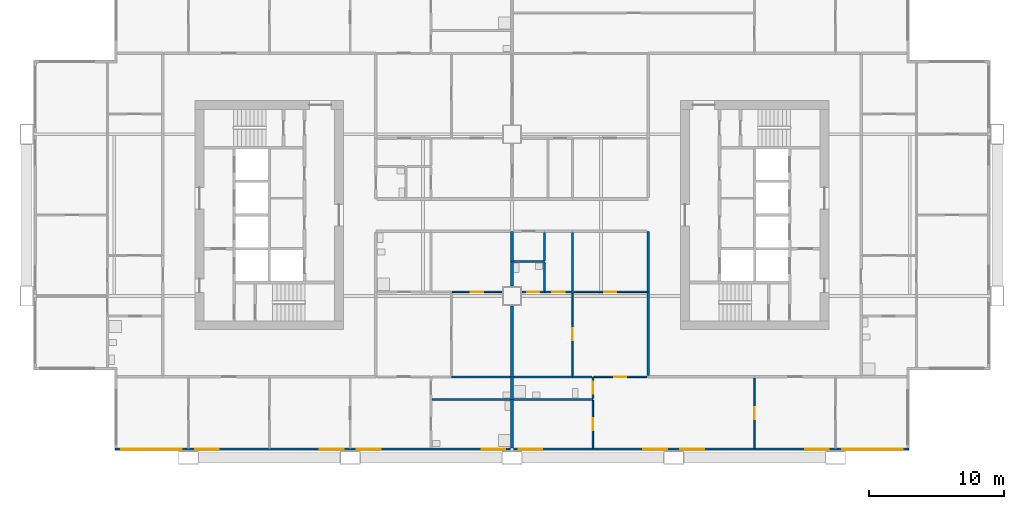
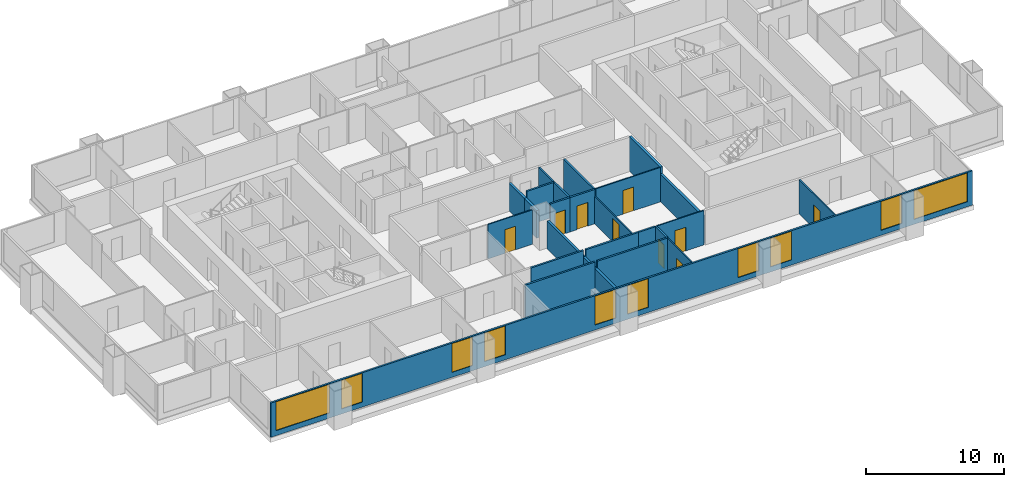
# One storey, part 5 of 11: 26 walls, 10 windows, 9 doors, 19 openings.
"""IFC4 building model written with IfcOpenShell, lengths in metres."""

from ifc_helpers import new_model, si_unit, direction, frame, frame_2d, origin, place, context, subcontext, project, spatial, rectangle, extrude, material, layer, layer_set, type_object, element, fill, save


model = new_model("IFC4")

# Units and contexts
model_context = context("Model", 3, precision=1e-05, world=origin(), true_north=direction((0.0, 1.0)))
body_context = subcontext(model_context, "Body", "Model", "MODEL_VIEW")
ifc_project = project(units=[si_unit("LENGTHUNIT", "METRE"), si_unit("AREAUNIT", "SQUARE_METRE"), si_unit("VOLUMEUNIT", "CUBIC_METRE"), si_unit("PLANEANGLEUNIT", "RADIAN"), si_unit("MASSUNIT", "GRAM", prefix="KILO")], contexts=[model_context])

# Site, building, storey
site_placement = place(None, origin())
site = spatial("IfcSite", under=ifc_project, at=site_placement, CompositionType="ELEMENT")
building_placement = place(site_placement, origin())
building = spatial("IfcBuilding", under=site, at=building_placement, Name="Kitamizu Gate Tower and Museum", CompositionType="ELEMENT")
storey_placement = place(building_placement, frame((0.0, 0.0, 100.050048828125)))
storey = spatial("IfcBuildingStorey", under=building, at=storey_placement, Name="L25", CompositionType="ELEMENT", Elevation=100.050048828125)

# Wall, opening, door
ifc_material_1 = material(Name="Gypsum board on galvanised stud")
ifc_layer_1 = layer(ifc_material_1, 0.10009765625)
ifc_layer_set_1 = layer_set([ifc_layer_1], Name="Gypsum board on galvanised stud")
wall_type_1 = type_object("IfcWallType", Name="Partition 100 NOT RATED", PredefinedType="PARTITIONING", material=ifc_layer_set_1)
wall_1_placement = place(storey_placement, frame((35.25, 24.300048828125, 0.0), z_axis=(0.0, 0.0, 1.0), x_axis=(-1.0, 0.0, 0.0)))
wall_1 = element("IfcWall", 1, at=wall_1_placement, inside=storey, type_object=wall_type_1, Name="Partition L25-022", PredefinedType="PARTITIONING", context=body_context, shape_type="SweptSolid", body=[
    extrude(rectangle(XDim=3.699951171875, YDim=0.10009765625, at=frame_2d((1.85009765625, 0.0))), origin(), (0.0, 0.0, 1.0), 3.050048828125),
])
opening_1_placement = place(wall_1_placement, frame((1.39990234375, 0.0, 0.0)))
opening_1 = element("IfcOpeningElement", 2, at=opening_1_placement, cuts=wall_1, Name="Opening L25-010", PredefinedType="OPENING", context=body_context, shape_type="SweptSolid", body=[
    extrude(rectangle(XDim=0.89990234375, YDim=2.10009765625, at=frame_2d((0.449951171875, 1.050048828125))), frame((0.0, 0.06005859375, 0.0), z_axis=(0.0, -1.0, 0.0), x_axis=(1.0, 0.0, 0.0)), (0.0, 0.0, 1.0), 0.1201171875),
])
ifc_material_2 = material(Name="Timber door set", Category="wood")
door_type_1 = type_object("IfcDoorType", Name="Room door 900", OperationType="NOTDEFINED", PredefinedType="DOOR", material=ifc_material_2)
door_1_placement = place(opening_1_placement, frame((0.89990234375, 0.0, 0.0), x_axis=(-1.0, 0.0, 0.0)))
door_1 = element("IfcDoor", 3, at=door_1_placement, inside=storey, type_object=door_type_1, Name="Door L25-010", OperationType="SINGLE_SWING_LEFT", OverallHeight=2.10009765625, OverallWidth=0.89990234375, PredefinedType="DOOR", context=body_context, shape_type="SweptSolid", body=[
    extrude(rectangle(XDim=0.89990234375, YDim=2.10009765625, at=frame_2d((0.449951171875, 1.050048828125))), frame((0.0, 0.02490234375, 0.0), z_axis=(0.0, -1.0, 0.0), x_axis=(1.0, 0.0, 0.0)), (0.0, 0.0, 1.0), 0.050048828125),
])
fill(opening_1, door_1)

wall_2_placement = place(storey_placement, frame((42.0, 12.719970703125, 0.0), z_axis=(0.0, 0.0, 1.0), x_axis=(0.0, 1.0, 0.0)))
wall_2 = element("IfcWall", 4, at=wall_2_placement, inside=storey, type_object=wall_type_1, Name="Partition L25-050", PredefinedType="PARTITIONING", context=body_context, shape_type="SweptSolid", body=[
    extrude(rectangle(XDim=3.525146484375, YDim=0.10009765625, at=frame_2d((1.7626953125, 0.0))), origin(), (0.0, 0.0, 1.0), 3.050048828125),
])
opening_2_placement = place(wall_2_placement, frame((1.3125, 0.0, 0.0)))
opening_2 = element("IfcOpeningElement", 5, at=opening_2_placement, cuts=wall_2, Name="Opening L25-022", PredefinedType="OPENING", context=body_context, shape_type="SweptSolid", body=[
    extrude(rectangle(XDim=0.89990234375, YDim=2.10009765625, at=frame_2d((0.449951171875, 1.050048828125))), frame((0.0, 0.06005859375, 0.0), z_axis=(0.0, -1.0, 0.0), x_axis=(1.0, 0.0, 0.0)), (0.0, 0.0, 1.0), 0.1201171875),
])
door_2_placement = place(opening_2_placement, origin())
door_2 = element("IfcDoor", 6, at=door_2_placement, inside=storey, type_object=door_type_1, Name="Door L25-022", OperationType="SINGLE_SWING_LEFT", OverallHeight=2.10009765625, OverallWidth=0.89990234375, PredefinedType="DOOR", context=body_context, shape_type="SweptSolid", body=[
    extrude(rectangle(XDim=0.89990234375, YDim=2.10009765625, at=frame_2d((0.449951171875, 1.050048828125))), frame((0.0, 0.02490234375, 0.0), z_axis=(0.0, -1.0, 0.0), x_axis=(1.0, 0.0, 0.0)), (0.0, 0.0, 1.0), 0.050048828125),
])
fill(opening_2, door_2)

wall_3_placement = place(storey_placement, frame((54.0, 12.719970703125, 0.0), z_axis=(0.0, 0.0, 1.0), x_axis=(0.0, 1.0, 0.0)))
wall_3 = element("IfcWall", 7, at=wall_3_placement, inside=storey, type_object=wall_type_1, Name="Partition L25-054", PredefinedType="PARTITIONING", context=body_context, shape_type="SweptSolid", body=[
    extrude(rectangle(XDim=5.179931640625, YDim=0.10009765625, at=frame_2d((2.58984375, 0.0))), origin(), (0.0, 0.0, 1.0), 3.050048828125),
])
opening_3_placement = place(wall_3_placement, frame((2.139892578125, 0.0, 0.0)))
opening_3 = element("IfcOpeningElement", 8, at=opening_3_placement, cuts=wall_3, Name="Opening L25-019", PredefinedType="OPENING", context=body_context, shape_type="SweptSolid", body=[
    extrude(rectangle(XDim=0.89990234375, YDim=2.10009765625, at=frame_2d((0.449951171875, 1.050048828125))), frame((0.0, 0.06005859375, 0.0), z_axis=(0.0, -1.0, 0.0), x_axis=(1.0, 0.0, 0.0)), (0.0, 0.0, 1.0), 0.1201171875),
])
door_3_placement = place(opening_3_placement, origin())
door_3 = element("IfcDoor", 9, at=door_3_placement, inside=storey, type_object=door_type_1, Name="Door L25-019", OperationType="SINGLE_SWING_RIGHT", OverallHeight=2.10009765625, OverallWidth=0.89990234375, PredefinedType="DOOR", context=body_context, shape_type="SweptSolid", body=[
    extrude(rectangle(XDim=0.89990234375, YDim=2.10009765625, at=frame_2d((0.449951171875, 1.050048828125))), frame((0.0, 0.02490234375, 0.0), z_axis=(0.0, -1.0, 0.0), x_axis=(1.0, 0.0, 0.0)), (0.0, 0.0, 1.0), 0.050048828125),
])
fill(opening_3, door_3)

wall_4_placement = place(storey_placement, frame((46.0, 18.0, 0.0), z_axis=(0.0, 0.0, 1.0), x_axis=(-1.0, 0.0, 0.0)))
wall_4 = element("IfcWall", 10, at=wall_4_placement, inside=storey, type_object=wall_type_1, Name="Partition L25-055", PredefinedType="PARTITIONING", context=body_context, shape_type="SweptSolid", body=[
    extrude(rectangle(XDim=3.925048828125, YDim=0.10009765625, at=frame_2d((1.96240234375, 0.0))), origin(), (0.0, 0.0, 1.0), 3.050048828125),
])
opening_4_placement = place(wall_4_placement, frame((1.512451171875, 0.0, 0.0)))
opening_4 = element("IfcOpeningElement", 11, at=opening_4_placement, cuts=wall_4, Name="Opening L25-023", PredefinedType="OPENING", context=body_context, shape_type="SweptSolid", body=[
    extrude(rectangle(XDim=0.89990234375, YDim=2.10009765625, at=frame_2d((0.449951171875, 1.050048828125))), frame((0.0, 0.06005859375, 0.0), z_axis=(0.0, -1.0, 0.0), x_axis=(1.0, 0.0, 0.0)), (0.0, 0.0, 1.0), 0.1201171875),
])
door_4_placement = place(opening_4_placement, frame((0.89990234375, 0.0, 0.0), x_axis=(-1.0, 0.0, 0.0)))
door_4 = element("IfcDoor", 12, at=door_4_placement, inside=storey, type_object=door_type_1, Name="Door L25-023", OperationType="SINGLE_SWING_LEFT", OverallHeight=2.10009765625, OverallWidth=0.89990234375, PredefinedType="DOOR", context=body_context, shape_type="SweptSolid", body=[
    extrude(rectangle(XDim=0.89990234375, YDim=2.10009765625, at=frame_2d((0.449951171875, 1.050048828125))), frame((0.0, 0.02490234375, 0.0), z_axis=(0.0, -1.0, 0.0), x_axis=(1.0, 0.0, 0.0)), (0.0, 0.0, 1.0), 0.050048828125),
])
fill(opening_4, door_4)

wall_5_placement = place(storey_placement, frame((40.5, 18.074951171875, 0.0), z_axis=(0.0, 0.0, 1.0), x_axis=(0.0, 1.0, 0.0)))
wall_5 = element("IfcWall", 13, at=wall_5_placement, inside=storey, type_object=wall_type_1, Name="Partition L25-061", PredefinedType="PARTITIONING", context=body_context, shape_type="SweptSolid", body=[
    extrude(rectangle(XDim=6.150146484375, YDim=0.10009765625, at=frame_2d((3.0751953125, 0.0))), origin(), (0.0, 0.0, 1.0), 2.449951171875),
])
opening_5_placement = place(wall_5_placement, frame((2.625, 0.0, 0.0)))
opening_5 = element("IfcOpeningElement", 14, at=opening_5_placement, cuts=wall_5, Name="Opening L25-024", PredefinedType="OPENING", context=body_context, shape_type="SweptSolid", body=[
    extrude(rectangle(XDim=0.89990234375, YDim=2.10009765625, at=frame_2d((0.449951171875, 1.050048828125))), frame((0.0, 0.06005859375, 0.0), z_axis=(0.0, -1.0, 0.0), x_axis=(1.0, 0.0, 0.0)), (0.0, 0.0, 1.0), 0.1201171875),
])
door_5_placement = place(opening_5_placement, origin())
door_5 = element("IfcDoor", 15, at=door_5_placement, inside=storey, type_object=door_type_1, Name="Door L25-024", OperationType="SINGLE_SWING_LEFT", OverallHeight=2.10009765625, OverallWidth=0.89990234375, PredefinedType="DOOR", context=body_context, shape_type="SweptSolid", body=[
    extrude(rectangle(XDim=0.89990234375, YDim=2.10009765625, at=frame_2d((0.449951171875, 1.050048828125))), frame((0.0, 0.02490234375, 0.0), z_axis=(0.0, -1.0, 0.0), x_axis=(1.0, 0.0, 0.0)), (0.0, 0.0, 1.0), 0.050048828125),
])
fill(opening_5, door_5)

wall_6_placement = place(storey_placement, frame((46.0, 24.300048828125, 0.0), z_axis=(0.0, 0.0, 1.0), x_axis=(-1.0, 0.0, 0.0)))
wall_6 = element("IfcWall", 16, at=wall_6_placement, inside=storey, type_object=wall_type_1, Name="Partition L25-064", PredefinedType="PARTITIONING", context=body_context, shape_type="SweptSolid", body=[
    extrude(rectangle(XDim=5.425048828125, YDim=0.10009765625, at=frame_2d((2.71240234375, 0.0))), origin(), (0.0, 0.0, 1.0), 3.050048828125),
])
opening_6_placement = place(wall_6_placement, frame((2.262451171875, 0.0, 0.0)))
opening_6 = element("IfcOpeningElement", 17, at=opening_6_placement, cuts=wall_6, Name="Opening L25-027", PredefinedType="OPENING", context=body_context, shape_type="SweptSolid", body=[
    extrude(rectangle(XDim=0.89990234375, YDim=2.10009765625, at=frame_2d((0.449951171875, 1.050048828125))), frame((0.0, 0.06005859375, 0.0), z_axis=(0.0, -1.0, 0.0), x_axis=(1.0, 0.0, 0.0)), (0.0, 0.0, 1.0), 0.1201171875),
])
door_6_placement = place(opening_6_placement, frame((0.89990234375, 0.0, 0.0), x_axis=(-1.0, 0.0, 0.0)))
door_6 = element("IfcDoor", 18, at=door_6_placement, inside=storey, type_object=door_type_1, Name="Door L25-027", OperationType="SINGLE_SWING_LEFT", OverallHeight=2.10009765625, OverallWidth=0.89990234375, PredefinedType="DOOR", context=body_context, shape_type="SweptSolid", body=[
    extrude(rectangle(XDim=0.89990234375, YDim=2.10009765625, at=frame_2d((0.449951171875, 1.050048828125))), frame((0.0, 0.02490234375, 0.0), z_axis=(0.0, -1.0, 0.0), x_axis=(1.0, 0.0, 0.0)), (0.0, 0.0, 1.0), 0.050048828125),
])
fill(opening_6, door_6)

# Walls
ifc_material_3 = material(Name="Gypsum board on galvanised stud")
ifc_layer_2 = layer(ifc_material_3, 0.14990234375)
ifc_layer_set_2 = layer_set([ifc_layer_2], Name="Gypsum board on galvanised stud")
wall_type_2 = type_object("IfcWallType", Name="Partition 150", PredefinedType="PARTITIONING", material=ifc_layer_set_2)
wall_7_placement = place(storey_placement, frame((35.89990234375, 16.320068359375, 0.0), z_axis=(0.0, 0.0, 1.0), x_axis=(-1.0, 0.0, 0.0)))
element("IfcWall", 19, at=wall_7_placement, inside=storey, type_object=wall_type_2, Name="Partition L25-012", PredefinedType="PARTITIONING", context=body_context, shape_type="SweptSolid", body=[
    extrude(rectangle(XDim=5.824951171875, YDim=0.14990234375, at=frame_2d((2.91259765625, 0.0))), origin(), (0.0, 0.0, 1.0), 3.050048828125),
])
wall_8_placement = place(storey_placement, frame((35.89990234375, 18.0, 0.0), z_axis=(0.0, 0.0, 1.0), x_axis=(-1.0, 0.0, 0.0)))
element("IfcWall", 20, at=wall_8_placement, inside=storey, type_object=wall_type_2, Name="Partition L25-015", PredefinedType="PARTITIONING", context=body_context, shape_type="SweptSolid", body=[
    extrude(rectangle(XDim=4.39990234375, YDim=0.14990234375, at=frame_2d((2.199951171875, 0.0))), origin(), (0.0, 0.0, 1.0), 3.050048828125),
])
wall_9_placement = place(storey_placement, frame((42.0, 16.320068359375, 0.0), z_axis=(0.0, 0.0, 1.0), x_axis=(-1.0, 0.0, 0.0)))
element("IfcWall", 21, at=wall_9_placement, inside=storey, type_object=wall_type_2, Name="Partition L25-049", PredefinedType="PARTITIONING", context=body_context, shape_type="SweptSolid", body=[
    extrude(rectangle(XDim=5.89990234375, YDim=0.14990234375, at=frame_2d((2.949951171875, 0.0))), origin(), (0.0, 0.0, 1.0), 3.050048828125),
])

# Wall, opening, door
wall_10_placement = place(storey_placement, frame((42.0, 16.39501953125, 0.0), z_axis=(0.0, 0.0, 1.0), x_axis=(0.0, 1.0, 0.0)))
wall_10 = element("IfcWall", 22, at=wall_10_placement, inside=storey, type_object=wall_type_2, Name="Partition L25-051", PredefinedType="PARTITIONING", context=body_context, shape_type="SweptSolid", body=[
    extrude(rectangle(XDim=1.60498046875, YDim=0.14990234375, at=frame_2d((0.802490234375, 0.0))), origin(), (0.0, 0.0, 1.0), 3.050048828125),
])
opening_7_placement = place(wall_10_placement, frame((0.3525390625, 0.0, 0.0)))
opening_7 = element("IfcOpeningElement", 23, at=opening_7_placement, cuts=wall_10, Name="Opening L25-021", PredefinedType="OPENING", context=body_context, shape_type="SweptSolid", body=[
    extrude(rectangle(XDim=0.89990234375, YDim=2.10009765625, at=frame_2d((0.449951171875, 1.050048828125))), frame((0.0, 0.0849609375, 0.0), z_axis=(0.0, -1.0, 0.0), x_axis=(1.0, 0.0, 0.0)), (0.0, 0.0, 1.0), 0.169921875),
])
ifc_material_4 = material(Name="Timber door set", Category="wood")
door_type_2 = type_object("IfcDoorType", Name="Bathroom door 900", OperationType="NOTDEFINED", PredefinedType="DOOR", material=ifc_material_4)
door_7_placement = place(opening_7_placement, origin())
door_7 = element("IfcDoor", 24, at=door_7_placement, inside=storey, type_object=door_type_2, Name="Bathroom door L25-021", OperationType="SINGLE_SWING_RIGHT", OverallHeight=2.10009765625, OverallWidth=0.89990234375, PredefinedType="DOOR", context=body_context, shape_type="SweptSolid", body=[
    extrude(rectangle(XDim=0.89990234375, YDim=2.10009765625, at=frame_2d((0.449951171875, 1.050048828125))), frame((0.0, 0.02490234375, 0.0), z_axis=(0.0, -1.0, 0.0), x_axis=(1.0, 0.0, 0.0)), (0.0, 0.0, 1.0), 0.050048828125),
])
fill(opening_7, door_7)

# Walls
wall_11_placement = place(storey_placement, frame((40.5, 18.0, 0.0), z_axis=(0.0, 0.0, 1.0), x_axis=(-1.0, 0.0, 0.0)))
element("IfcWall", 25, at=wall_11_placement, inside=storey, type_object=wall_type_2, Name="Partition L25-052", PredefinedType="PARTITIONING", context=body_context, shape_type="SweptSolid", body=[
    extrude(rectangle(XDim=4.39990234375, YDim=0.14990234375, at=frame_2d((2.199951171875, 0.0))), origin(), (0.0, 0.0, 1.0), 3.050048828125),
])
wall_12_placement = place(storey_placement, frame((41.925048828125, 18.0, 0.0), z_axis=(0.0, 0.0, 1.0), x_axis=(-1.0, 0.0, 0.0)))
element("IfcWall", 26, at=wall_12_placement, inside=storey, type_object=wall_type_2, Name="Partition L25-053", PredefinedType="PARTITIONING", context=body_context, shape_type="SweptSolid", body=[
    extrude(rectangle(XDim=1.425048828125, YDim=0.14990234375, at=frame_2d((0.71240234375, 0.0))), origin(), (0.0, 0.0, 1.0), 3.050048828125),
])

# Wall, opening, door
wall_13_placement = place(storey_placement, frame((38.39990234375, 24.300048828125, 0.0), z_axis=(0.0, 0.0, 1.0), x_axis=(-1.0, 0.0, 0.0)))
wall_13 = element("IfcWall", 27, at=wall_13_placement, inside=storey, type_object=wall_type_2, Name="Partition L25-062", PredefinedType="PARTITIONING", context=body_context, shape_type="SweptSolid", body=[
    extrude(rectangle(XDim=1.64990234375, YDim=0.14990234375, at=frame_2d((0.824951171875, 0.0))), origin(), (0.0, 0.0, 1.0), 3.050048828125),
])
opening_8_placement = place(wall_13_placement, frame((0.375, 0.0, 0.0)))
opening_8 = element("IfcOpeningElement", 28, at=opening_8_placement, cuts=wall_13, Name="Opening L25-025", PredefinedType="OPENING", context=body_context, shape_type="SweptSolid", body=[
    extrude(rectangle(XDim=0.89990234375, YDim=2.10009765625, at=frame_2d((0.449951171875, 1.050048828125))), frame((0.0, 0.0849609375, 0.0), z_axis=(0.0, -1.0, 0.0), x_axis=(1.0, 0.0, 0.0)), (0.0, 0.0, 1.0), 0.169921875),
])
door_8_placement = place(opening_8_placement, frame((0.89990234375, 0.0, 0.0), x_axis=(-1.0, 0.0, 0.0)))
door_8 = element("IfcDoor", 29, at=door_8_placement, inside=storey, type_object=door_type_2, Name="Bathroom door L25-025", OperationType="SINGLE_SWING_LEFT", OverallHeight=2.10009765625, OverallWidth=0.89990234375, PredefinedType="DOOR", context=body_context, shape_type="SweptSolid", body=[
    extrude(rectangle(XDim=0.89990234375, YDim=2.10009765625, at=frame_2d((0.449951171875, 1.050048828125))), frame((0.0, 0.02490234375, 0.0), z_axis=(0.0, -1.0, 0.0), x_axis=(1.0, 0.0, 0.0)), (0.0, 0.0, 1.0), 0.050048828125),
])
fill(opening_8, door_8)

wall_14_placement = place(storey_placement, frame((40.5, 24.300048828125, 0.0), z_axis=(0.0, 0.0, 1.0), x_axis=(-1.0, 0.0, 0.0)))
wall_14 = element("IfcWall", 30, at=wall_14_placement, inside=storey, type_object=wall_type_2, Name="Partition L25-063", PredefinedType="PARTITIONING", context=body_context, shape_type="SweptSolid", body=[
    extrude(rectangle(XDim=2.10009765625, YDim=0.14990234375, at=frame_2d((1.050048828125, 0.0))), origin(), (0.0, 0.0, 1.0), 3.050048828125),
])
opening_9_placement = place(wall_14_placement, frame((0.60009765625, 0.0, 0.0)))
opening_9 = element("IfcOpeningElement", 31, at=opening_9_placement, cuts=wall_14, Name="Opening L25-026", PredefinedType="OPENING", context=body_context, shape_type="SweptSolid", body=[
    extrude(rectangle(XDim=0.89990234375, YDim=2.10009765625, at=frame_2d((0.449951171875, 1.050048828125))), frame((0.0, 0.0849609375, 0.0), z_axis=(0.0, -1.0, 0.0), x_axis=(1.0, 0.0, 0.0)), (0.0, 0.0, 1.0), 0.169921875),
])
door_9_placement = place(opening_9_placement, frame((0.89990234375, 0.0, 0.0), x_axis=(-1.0, 0.0, 0.0)))
door_9 = element("IfcDoor", 32, at=door_9_placement, inside=storey, type_object=door_type_2, Name="Bathroom door L25-026", OperationType="SINGLE_SWING_RIGHT", OverallHeight=2.10009765625, OverallWidth=0.89990234375, PredefinedType="DOOR", context=body_context, shape_type="SweptSolid", body=[
    extrude(rectangle(XDim=0.89990234375, YDim=2.10009765625, at=frame_2d((0.449951171875, 1.050048828125))), frame((0.0, 0.02490234375, 0.0), z_axis=(0.0, -1.0, 0.0), x_axis=(1.0, 0.0, 0.0)), (0.0, 0.0, 1.0), 0.050048828125),
])
fill(opening_9, door_9)

# Walls
wall_15_placement = place(storey_placement, frame((38.39990234375, 26.550048828125, 0.0), z_axis=(0.0, 0.0, 1.0), x_axis=(-1.0, 0.0, 0.0)))
element("IfcWall", 33, at=wall_15_placement, inside=storey, type_object=wall_type_2, Name="Partition L25-066", PredefinedType="PARTITIONING", context=body_context, shape_type="SweptSolid", body=[
    extrude(rectangle(XDim=2.2998046875, YDim=0.14990234375, at=frame_2d((1.14990234375, 0.0))), origin(), (0.0, 0.0, 1.0), 3.050048828125),
])
wall_16_placement = place(storey_placement, frame((38.39990234375, 24.375, 0.0), z_axis=(0.0, 0.0, 1.0), x_axis=(0.0, 1.0, 0.0)))
element("IfcWall", 34, at=wall_16_placement, inside=storey, type_object=wall_type_2, Name="Partition L25-067", PredefinedType="PARTITIONING", context=body_context, shape_type="SweptSolid", body=[
    extrude(rectangle(XDim=2.10009765625, YDim=0.14990234375, at=frame_2d((1.050048828125, 0.0))), origin(), (0.0, 0.0, 1.0), 3.050048828125),
])
wall_17_placement = place(storey_placement, frame((38.39990234375, 26.625, 0.0), z_axis=(0.0, 0.0, 1.0), x_axis=(0.0, 1.0, 0.0)))
element("IfcWall", 35, at=wall_17_placement, inside=storey, type_object=wall_type_2, Name="Partition L25-068", PredefinedType="PARTITIONING", context=body_context, shape_type="SweptSolid", body=[
    extrude(rectangle(XDim=2.074951171875, YDim=0.14990234375, at=frame_2d((1.03759765625, 0.0))), origin(), (0.0, 0.0, 1.0), 3.050048828125),
])
wall_18_placement = place(storey_placement, frame((40.5, 24.375, 0.0), z_axis=(0.0, 0.0, 1.0), x_axis=(0.0, 1.0, 0.0)))
element("IfcWall", 36, at=wall_18_placement, inside=storey, type_object=wall_type_2, Name="Partition L25-070", PredefinedType="PARTITIONING", context=body_context, shape_type="SweptSolid", body=[
    extrude(rectangle(XDim=4.324951171875, YDim=0.14990234375, at=frame_2d((2.16259765625, 0.0))), origin(), (0.0, 0.0, 1.0), 3.050048828125),
])
ifc_material_5 = material(Name="Gypsum board on galvanised stud")
ifc_layer_3 = layer(ifc_material_5, 0.199951171875)
ifc_layer_set_3 = layer_set([ifc_layer_3], Name="Gypsum board on galvanised stud")
wall_type_3 = type_object("IfcWallType", Name="Partition 200", PredefinedType="PARTITIONING", material=ifc_layer_set_3)
wall_19_placement = place(storey_placement, frame((36.0, 12.719970703125, 0.0), z_axis=(0.0, 0.0, 1.0), x_axis=(0.0, 1.0, 0.0)))
element("IfcWall", 37, at=wall_19_placement, inside=storey, type_object=wall_type_3, Name="Partition L25-013", PredefinedType="PARTITIONING", context=body_context, shape_type="SweptSolid", body=[
    extrude(rectangle(XDim=3.60009765625, YDim=0.199951171875, at=frame_2d((1.800048828125, 0.0))), origin(), (0.0, 0.0, 1.0), 2.449951171875),
])
wall_20_placement = place(storey_placement, frame((36.0, 16.320068359375, 0.0), z_axis=(0.0, 0.0, 1.0), x_axis=(0.0, 1.0, 0.0)))
element("IfcWall", 38, at=wall_20_placement, inside=storey, type_object=wall_type_3, Name="Partition L25-016", PredefinedType="PARTITIONING", context=body_context, shape_type="SweptSolid", body=[
    extrude(rectangle(XDim=1.679931640625, YDim=0.199951171875, at=frame_2d((0.83984375, 0.0))), origin(), (0.0, 0.0, 1.0), 2.449951171875),
])
wall_21_placement = place(storey_placement, frame((36.0, 18.0, 0.0), z_axis=(0.0, 0.0, 1.0), x_axis=(0.0, 1.0, 0.0)))
element("IfcWall", 39, at=wall_21_placement, inside=storey, type_object=wall_type_3, Name="Partition L25-023", PredefinedType="PARTITIONING", context=body_context, shape_type="SweptSolid", body=[
    extrude(rectangle(XDim=5.25, YDim=0.199951171875, at=frame_2d((2.625, 0.0))), origin(), (0.0, 0.0, 1.0), 2.449951171875),
])
wall_22_placement = place(storey_placement, frame((36.0, 24.75, 0.0), z_axis=(0.0, 0.0, 1.0), x_axis=(0.0, 1.0, 0.0)))
element("IfcWall", 40, at=wall_22_placement, inside=storey, type_object=wall_type_3, Name="Partition L25-027", PredefinedType="PARTITIONING", context=body_context, shape_type="SweptSolid", body=[
    extrude(rectangle(XDim=1.800048828125, YDim=0.199951171875, at=frame_2d((0.89990234375, 0.0))), origin(), (0.0, 0.0, 1.0), 2.449951171875),
])
wall_23_placement = place(storey_placement, frame((36.0, 26.550048828125, 0.0), z_axis=(0.0, 0.0, 1.0), x_axis=(0.0, 1.0, 0.0)))
element("IfcWall", 41, at=wall_23_placement, inside=storey, type_object=wall_type_3, Name="Partition L25-028", PredefinedType="PARTITIONING", context=body_context, shape_type="SweptSolid", body=[
    extrude(rectangle(XDim=2.25, YDim=0.199951171875, at=frame_2d((1.125, 0.0))), origin(), (0.0, 0.0, 1.0), 2.449951171875),
])
wall_24_placement = place(storey_placement, frame((46.10009765625, 18.10009765625, 0.0), z_axis=(0.0, 0.0, 1.0), x_axis=(0.0, 1.0, 0.0)))
element("IfcWall", 42, at=wall_24_placement, inside=storey, type_object=wall_type_3, Name="Partition L25-065", PredefinedType="PARTITIONING", context=body_context, shape_type="SweptSolid", body=[
    extrude(rectangle(XDim=6.199951171875, YDim=0.199951171875, at=frame_2d((3.10009765625, 0.0))), origin(), (0.0, 0.0, 1.0), 2.449951171875),
])
wall_25_placement = place(storey_placement, frame((46.10009765625, 24.300048828125, 0.0), z_axis=(0.0, 0.0, 1.0), x_axis=(0.0, 1.0, 0.0)))
element("IfcWall", 43, at=wall_25_placement, inside=storey, type_object=wall_type_3, Name="Partition L25-072", PredefinedType="PARTITIONING", context=body_context, shape_type="SweptSolid", body=[
    extrude(rectangle(XDim=4.5, YDim=0.199951171875, at=frame_2d((2.25, 0.0))), origin(), (0.0, 0.0, 1.0), 3.050048828125),
])

# Wall, openings, windows
ifc_material_6 = material(Name="Bronze anodised aluminium frame with insulated spandrel and tinted glass", Category="aluminium")
ifc_layer_4 = layer(ifc_material_6, 0.14990234375)
ifc_layer_set_4 = layer_set([ifc_layer_4], Name="Bronze anodised aluminium frame with insulated spandrel and tinted glass")
wall_type_4 = type_object("IfcWallType", Name="WINDOW WALL 150 BRONZE FRAME EI 30", PredefinedType="ELEMENTEDWALL", material=ifc_layer_set_4)
wall_26_placement = place(storey_placement, frame((6.56005859375, 12.635009765625, 0.0), z_axis=(0.0, 0.0, 1.0), x_axis=(1.0, 0.0, 0.0)))
wall_26 = element("IfcWall", 44, at=wall_26_placement, inside=storey, type_object=wall_type_4, Name="Window wall south L25", PredefinedType="ELEMENTEDWALL", context=body_context, shape_type="SweptSolid", body=[
    extrude(rectangle(XDim=58.8798828125, YDim=0.14990234375, at=frame_2d((29.43994140625, 0.0))), origin(), (0.0, 0.0, 1.0), 3.050048828125),
])
opening_10_placement = place(wall_26_placement, frame((0.43994140625, 0.0, 0.449951171875)))
opening_10 = element("IfcOpeningElement", 45, at=opening_10_placement, cuts=wall_26, Name="Opening W15", PredefinedType="OPENING", context=body_context, shape_type="SweptSolid", body=[
    extrude(rectangle(XDim=4.5, YDim=2.550048828125, at=frame_2d((2.25, 1.27490234375))), frame((0.0, 0.0849609375, 0.0), z_axis=(0.0, -1.0, 0.0), x_axis=(1.0, 0.0, 0.0)), (0.0, 0.0, 1.0), 0.169921875),
])
opening_11_placement = place(wall_26_placement, frame((5.93994140625, 0.0, 0.449951171875)))
opening_11 = element("IfcOpeningElement", 46, at=opening_11_placement, cuts=wall_26, Name="Opening W29", PredefinedType="OPENING", context=body_context, shape_type="SweptSolid", body=[
    extrude(rectangle(XDim=1.75, YDim=2.550048828125, at=frame_2d((0.875, 1.27490234375))), frame((0.0, 0.0849609375, 0.0), z_axis=(0.0, -1.0, 0.0), x_axis=(1.0, 0.0, 0.0)), (0.0, 0.0, 1.0), 0.169921875),
])
opening_12_placement = place(wall_26_placement, frame((15.18994140625, 0.0, 0.449951171875)))
opening_12 = element("IfcOpeningElement", 47, at=opening_12_placement, cuts=wall_26, Name="Opening W29", PredefinedType="OPENING", context=body_context, shape_type="SweptSolid", body=[
    extrude(rectangle(XDim=1.75, YDim=2.550048828125, at=frame_2d((0.875, 1.27490234375))), frame((0.0, 0.0849609375, 0.0), z_axis=(0.0, -1.0, 0.0), x_axis=(1.0, 0.0, 0.0)), (0.0, 0.0, 1.0), 0.169921875),
])
opening_13_placement = place(wall_26_placement, frame((17.93994140625, 0.0, 0.449951171875)))
opening_13 = element("IfcOpeningElement", 48, at=opening_13_placement, cuts=wall_26, Name="Opening W29", PredefinedType="OPENING", context=body_context, shape_type="SweptSolid", body=[
    extrude(rectangle(XDim=1.75, YDim=2.550048828125, at=frame_2d((0.875, 1.27490234375))), frame((0.0, 0.0849609375, 0.0), z_axis=(0.0, -1.0, 0.0), x_axis=(1.0, 0.0, 0.0)), (0.0, 0.0, 1.0), 0.169921875),
])
opening_14_placement = place(wall_26_placement, frame((27.18994140625, 0.0, 0.449951171875)))
opening_14 = element("IfcOpeningElement", 49, at=opening_14_placement, cuts=wall_26, Name="Opening W29", PredefinedType="OPENING", context=body_context, shape_type="SweptSolid", body=[
    extrude(rectangle(XDim=1.75, YDim=2.550048828125, at=frame_2d((0.875, 1.27490234375))), frame((0.0, 0.0849609375, 0.0), z_axis=(0.0, -1.0, 0.0), x_axis=(1.0, 0.0, 0.0)), (0.0, 0.0, 1.0), 0.169921875),
])
opening_15_placement = place(wall_26_placement, frame((29.93994140625, 0.0, 0.449951171875)))
opening_15 = element("IfcOpeningElement", 50, at=opening_15_placement, cuts=wall_26, Name="Opening W29", PredefinedType="OPENING", context=body_context, shape_type="SweptSolid", body=[
    extrude(rectangle(XDim=1.75, YDim=2.550048828125, at=frame_2d((0.875, 1.27490234375))), frame((0.0, 0.0849609375, 0.0), z_axis=(0.0, -1.0, 0.0), x_axis=(1.0, 0.0, 0.0)), (0.0, 0.0, 1.0), 0.169921875),
])
opening_16_placement = place(wall_26_placement, frame((39.18994140625, 0.0, 0.449951171875)))
opening_16 = element("IfcOpeningElement", 51, at=opening_16_placement, cuts=wall_26, Name="Opening W29", PredefinedType="OPENING", context=body_context, shape_type="SweptSolid", body=[
    extrude(rectangle(XDim=1.75, YDim=2.550048828125, at=frame_2d((0.875, 1.27490234375))), frame((0.0, 0.0849609375, 0.0), z_axis=(0.0, -1.0, 0.0), x_axis=(1.0, 0.0, 0.0)), (0.0, 0.0, 1.0), 0.169921875),
])
opening_17_placement = place(wall_26_placement, frame((41.93994140625, 0.0, 0.449951171875)))
opening_17 = element("IfcOpeningElement", 52, at=opening_17_placement, cuts=wall_26, Name="Opening W29", PredefinedType="OPENING", context=body_context, shape_type="SweptSolid", body=[
    extrude(rectangle(XDim=1.75, YDim=2.550048828125, at=frame_2d((0.875, 1.27490234375))), frame((0.0, 0.0849609375, 0.0), z_axis=(0.0, -1.0, 0.0), x_axis=(1.0, 0.0, 0.0)), (0.0, 0.0, 1.0), 0.169921875),
])
opening_18_placement = place(wall_26_placement, frame((51.18994140625, 0.0, 0.449951171875)))
opening_18 = element("IfcOpeningElement", 53, at=opening_18_placement, cuts=wall_26, Name="Opening W29", PredefinedType="OPENING", context=body_context, shape_type="SweptSolid", body=[
    extrude(rectangle(XDim=1.75, YDim=2.550048828125, at=frame_2d((0.875, 1.27490234375))), frame((0.0, 0.0849609375, 0.0), z_axis=(0.0, -1.0, 0.0), x_axis=(1.0, 0.0, 0.0)), (0.0, 0.0, 1.0), 0.169921875),
])
opening_19_placement = place(wall_26_placement, frame((53.93994140625, 0.0, 0.449951171875)))
opening_19 = element("IfcOpeningElement", 54, at=opening_19_placement, cuts=wall_26, Name="Opening W15", PredefinedType="OPENING", context=body_context, shape_type="SweptSolid", body=[
    extrude(rectangle(XDim=4.5, YDim=2.550048828125, at=frame_2d((2.25, 1.27490234375))), frame((0.0, 0.0849609375, 0.0), z_axis=(0.0, -1.0, 0.0), x_axis=(1.0, 0.0, 0.0)), (0.0, 0.0, 1.0), 0.169921875),
])
ifc_material_7 = material(Name="Bronze anodised aluminium frame, tinted triple glazing", Category="aluminium")
window_type_1 = type_object("IfcWindowType", Name="WINDOW 1750 x 2550 SILL 450", PartitioningType="SINGLE_PANEL", PredefinedType="WINDOW", material=ifc_material_7)
window_1_placement = place(opening_11_placement, origin())
window_1 = element("IfcWindow", 55, at=window_1_placement, inside=storey, type_object=window_type_1, Name="Window W29 L25", OverallHeight=2.550048828125, OverallWidth=1.75, PartitioningType="SINGLE_PANEL", PredefinedType="WINDOW", context=body_context, shape_type="SweptSolid", body=[
    extrude(rectangle(XDim=1.75, YDim=2.550048828125, at=frame_2d((0.875, 1.27490234375))), frame((0.0, 0.030029296875, 0.0), z_axis=(0.0, -1.0, 0.0), x_axis=(1.0, 0.0, 0.0)), (0.0, 0.0, 1.0), 0.06005859375),
])
fill(opening_11, window_1)
window_2_placement = place(opening_12_placement, origin())
window_2 = element("IfcWindow", 56, at=window_2_placement, inside=storey, type_object=window_type_1, Name="Window W29 L25", OverallHeight=2.550048828125, OverallWidth=1.75, PartitioningType="SINGLE_PANEL", PredefinedType="WINDOW", context=body_context, shape_type="SweptSolid", body=[
    extrude(rectangle(XDim=1.75, YDim=2.550048828125, at=frame_2d((0.875, 1.27490234375))), frame((0.0, 0.030029296875, 0.0), z_axis=(0.0, -1.0, 0.0), x_axis=(1.0, 0.0, 0.0)), (0.0, 0.0, 1.0), 0.06005859375),
])
fill(opening_12, window_2)
window_3_placement = place(opening_13_placement, origin())
window_3 = element("IfcWindow", 57, at=window_3_placement, inside=storey, type_object=window_type_1, Name="Window W29 L25", OverallHeight=2.550048828125, OverallWidth=1.75, PartitioningType="SINGLE_PANEL", PredefinedType="WINDOW", context=body_context, shape_type="SweptSolid", body=[
    extrude(rectangle(XDim=1.75, YDim=2.550048828125, at=frame_2d((0.875, 1.27490234375))), frame((0.0, 0.030029296875, 0.0), z_axis=(0.0, -1.0, 0.0), x_axis=(1.0, 0.0, 0.0)), (0.0, 0.0, 1.0), 0.06005859375),
])
fill(opening_13, window_3)
window_4_placement = place(opening_14_placement, origin())
window_4 = element("IfcWindow", 58, at=window_4_placement, inside=storey, type_object=window_type_1, Name="Window W29 L25", OverallHeight=2.550048828125, OverallWidth=1.75, PartitioningType="SINGLE_PANEL", PredefinedType="WINDOW", context=body_context, shape_type="SweptSolid", body=[
    extrude(rectangle(XDim=1.75, YDim=2.550048828125, at=frame_2d((0.875, 1.27490234375))), frame((0.0, 0.030029296875, 0.0), z_axis=(0.0, -1.0, 0.0), x_axis=(1.0, 0.0, 0.0)), (0.0, 0.0, 1.0), 0.06005859375),
])
fill(opening_14, window_4)
window_5_placement = place(opening_15_placement, origin())
window_5 = element("IfcWindow", 59, at=window_5_placement, inside=storey, type_object=window_type_1, Name="Window W29 L25", OverallHeight=2.550048828125, OverallWidth=1.75, PartitioningType="SINGLE_PANEL", PredefinedType="WINDOW", context=body_context, shape_type="SweptSolid", body=[
    extrude(rectangle(XDim=1.75, YDim=2.550048828125, at=frame_2d((0.875, 1.27490234375))), frame((0.0, 0.030029296875, 0.0), z_axis=(0.0, -1.0, 0.0), x_axis=(1.0, 0.0, 0.0)), (0.0, 0.0, 1.0), 0.06005859375),
])
fill(opening_15, window_5)
window_6_placement = place(opening_16_placement, origin())
window_6 = element("IfcWindow", 60, at=window_6_placement, inside=storey, type_object=window_type_1, Name="Window W29 L25", OverallHeight=2.550048828125, OverallWidth=1.75, PartitioningType="SINGLE_PANEL", PredefinedType="WINDOW", context=body_context, shape_type="SweptSolid", body=[
    extrude(rectangle(XDim=1.75, YDim=2.550048828125, at=frame_2d((0.875, 1.27490234375))), frame((0.0, 0.030029296875, 0.0), z_axis=(0.0, -1.0, 0.0), x_axis=(1.0, 0.0, 0.0)), (0.0, 0.0, 1.0), 0.06005859375),
])
fill(opening_16, window_6)
window_7_placement = place(opening_17_placement, origin())
window_7 = element("IfcWindow", 61, at=window_7_placement, inside=storey, type_object=window_type_1, Name="Window W29 L25", OverallHeight=2.550048828125, OverallWidth=1.75, PartitioningType="SINGLE_PANEL", PredefinedType="WINDOW", context=body_context, shape_type="SweptSolid", body=[
    extrude(rectangle(XDim=1.75, YDim=2.550048828125, at=frame_2d((0.875, 1.27490234375))), frame((0.0, 0.030029296875, 0.0), z_axis=(0.0, -1.0, 0.0), x_axis=(1.0, 0.0, 0.0)), (0.0, 0.0, 1.0), 0.06005859375),
])
fill(opening_17, window_7)
window_8_placement = place(opening_18_placement, origin())
window_8 = element("IfcWindow", 62, at=window_8_placement, inside=storey, type_object=window_type_1, Name="Window W29 L25", OverallHeight=2.550048828125, OverallWidth=1.75, PartitioningType="SINGLE_PANEL", PredefinedType="WINDOW", context=body_context, shape_type="SweptSolid", body=[
    extrude(rectangle(XDim=1.75, YDim=2.550048828125, at=frame_2d((0.875, 1.27490234375))), frame((0.0, 0.030029296875, 0.0), z_axis=(0.0, -1.0, 0.0), x_axis=(1.0, 0.0, 0.0)), (0.0, 0.0, 1.0), 0.06005859375),
])
fill(opening_18, window_8)
ifc_material_8 = material(Name="Bronze anodised aluminium frame, tinted triple glazing", Category="aluminium")
window_type_2 = type_object("IfcWindowType", Name="WINDOW 4500 x 2550 SILL 450", PartitioningType="SINGLE_PANEL", PredefinedType="WINDOW", material=ifc_material_8)
window_9_placement = place(opening_10_placement, origin())
window_9 = element("IfcWindow", 63, at=window_9_placement, inside=storey, type_object=window_type_2, Name="Window W15 L25", OverallHeight=2.550048828125, OverallWidth=4.5, PartitioningType="SINGLE_PANEL", PredefinedType="WINDOW", context=body_context, shape_type="SweptSolid", body=[
    extrude(rectangle(XDim=4.5, YDim=2.550048828125, at=frame_2d((2.25, 1.27490234375))), frame((0.0, 0.030029296875, 0.0), z_axis=(0.0, -1.0, 0.0), x_axis=(1.0, 0.0, 0.0)), (0.0, 0.0, 1.0), 0.06005859375),
])
fill(opening_10, window_9)
window_10_placement = place(opening_19_placement, origin())
window_10 = element("IfcWindow", 64, at=window_10_placement, inside=storey, type_object=window_type_2, Name="Window W15 L25", OverallHeight=2.550048828125, OverallWidth=4.5, PartitioningType="SINGLE_PANEL", PredefinedType="WINDOW", context=body_context, shape_type="SweptSolid", body=[
    extrude(rectangle(XDim=4.5, YDim=2.550048828125, at=frame_2d((2.25, 1.27490234375))), frame((0.0, 0.030029296875, 0.0), z_axis=(0.0, -1.0, 0.0), x_axis=(1.0, 0.0, 0.0)), (0.0, 0.0, 1.0), 0.06005859375),
])
fill(opening_19, window_10)

save(model, "model.ifc")
